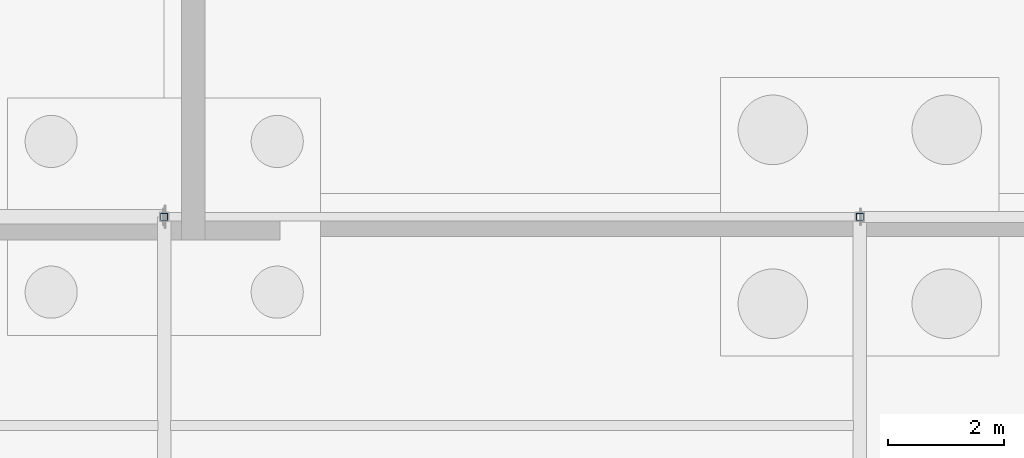
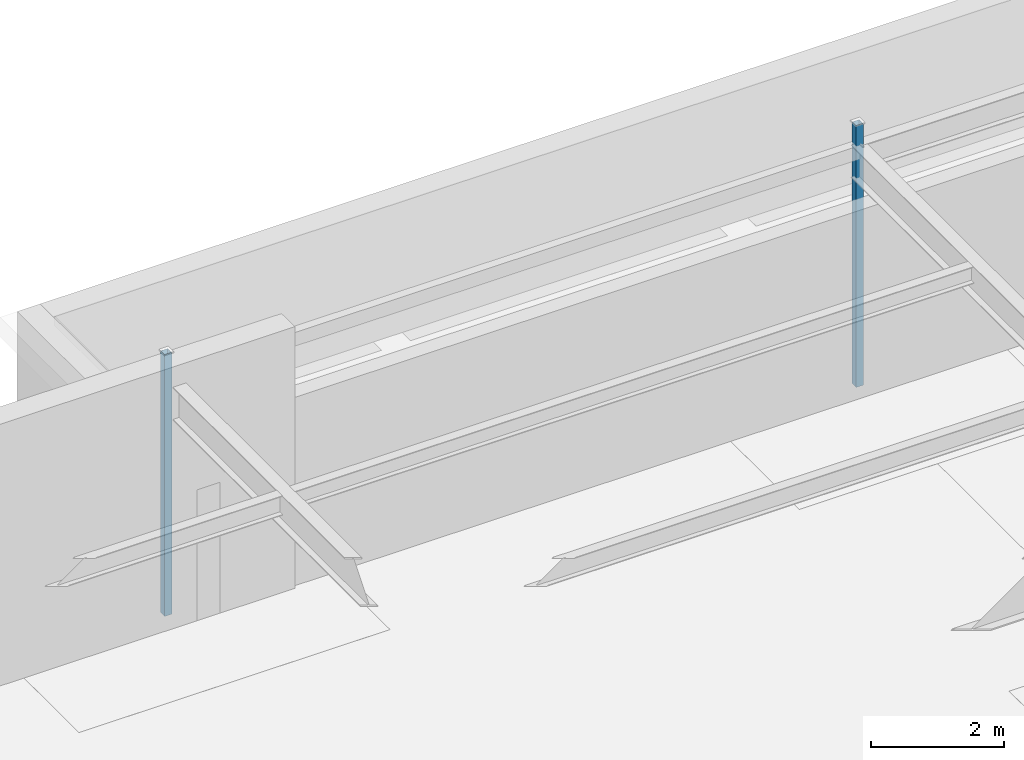
# One storey, part 71 of 136: 2 columns.
"""IFC4 building model written with IfcOpenShell, lengths in metres."""

from ifc_helpers import new_model, si_unit, direction, frame, origin, origin_2d, place, context, subcontext, project, spatial, hollow_rectangle, extrude, material, material_profile, profile_set, type_object, element, save


model = new_model("IFC4")

# Units and contexts
model_context = context("Model", 3, precision=1e-05, world=origin(), true_north=direction((0.0, 1.0)))
body_context = subcontext(model_context, "Body", "Model", "MODEL_VIEW")
ifc_project = project(units=[si_unit("LENGTHUNIT", "METRE"), si_unit("AREAUNIT", "SQUARE_METRE"), si_unit("VOLUMEUNIT", "CUBIC_METRE"), si_unit("PLANEANGLEUNIT", "RADIAN"), si_unit("MASSUNIT", "GRAM", prefix="KILO")], contexts=[model_context])

# Site, building, storey
site_placement = place(None, origin())
site = spatial("IfcSite", under=ifc_project, at=site_placement, CompositionType="ELEMENT")
building_placement = place(site_placement, origin())
building = spatial("IfcBuilding", under=site, at=building_placement, Name="Tarnwether General Hospital", CompositionType="ELEMENT")
storey_placement = place(building_placement, frame((0.0, 0.0, -4.800048828125)))
storey = spatial("IfcBuildingStorey", under=building, at=storey_placement, Name="LG", CompositionType="ELEMENT", Elevation=-4.800048828125)

# Columns
ifc_material = material(Name="Steel Grade C350L0 (350 MPa)", Category="steel")
ifc_material_profile = material_profile(ifc_material, hollow_rectangle(XDim=0.125, YDim=0.125, WallThickness=0.006103515625, at=origin_2d()), Name="SHS125x125x6")
ifc_profile_set = profile_set([ifc_material_profile], Name="Steel Grade C350L0 (350 MPa)")
column_type = type_object("IfcColumnType", Name="COL-34", PredefinedType="COLUMN", material=ifc_profile_set)
for number, where, z_axis, x_axis, name in (
    (1, (48.0, 126.0, 0.0), (0.0, 0.0, 1.0), (1.0, 0.0, 0.0), "Column COLG-LG-4800_12600"),
    (2, (60.0, 126.0, 0.0), (0.0, 0.0, 1.0), (0.0, 1.0, 0.0), "Column COLG-LG-6000_12600"),
):
    element("IfcColumn", number, at=place(storey_placement, frame(where, z_axis=z_axis, x_axis=x_axis)), inside=storey, type_object=column_type, Name=name, PredefinedType="COLUMN", context=body_context, shape_type="SweptSolid", body=[
        extrude(hollow_rectangle(XDim=0.125, YDim=0.125, WallThickness=0.006103515625, at=origin_2d()), origin(), (0.0, 0.0, 1.0), 4.800048828125),
    ])

save(model, "model.ifc")
